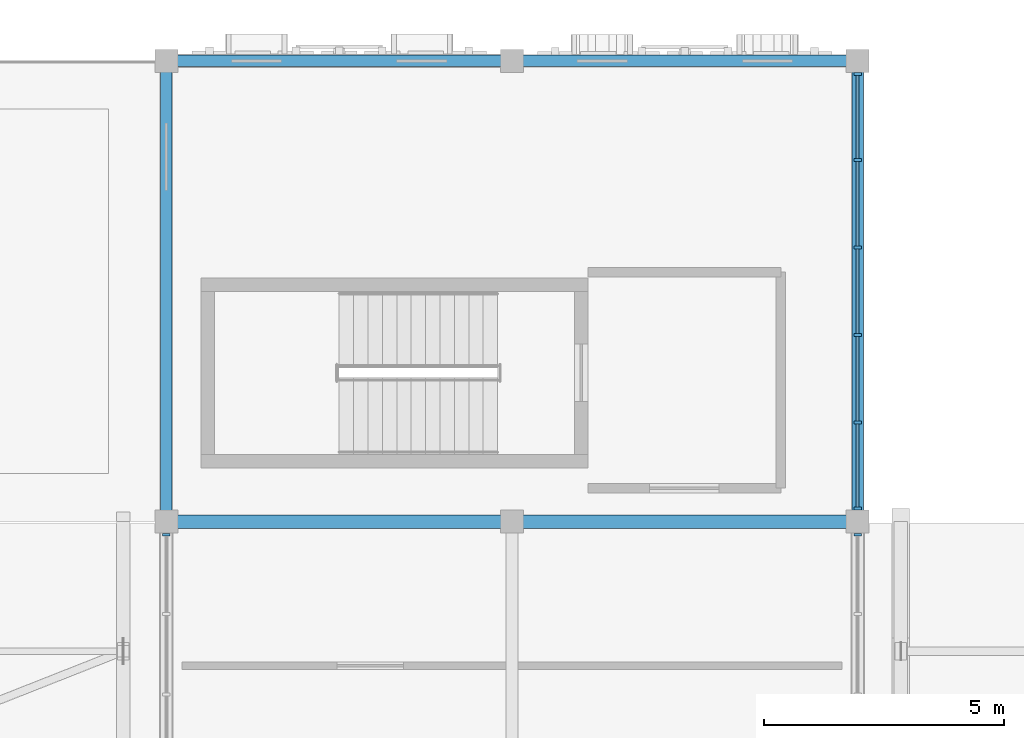
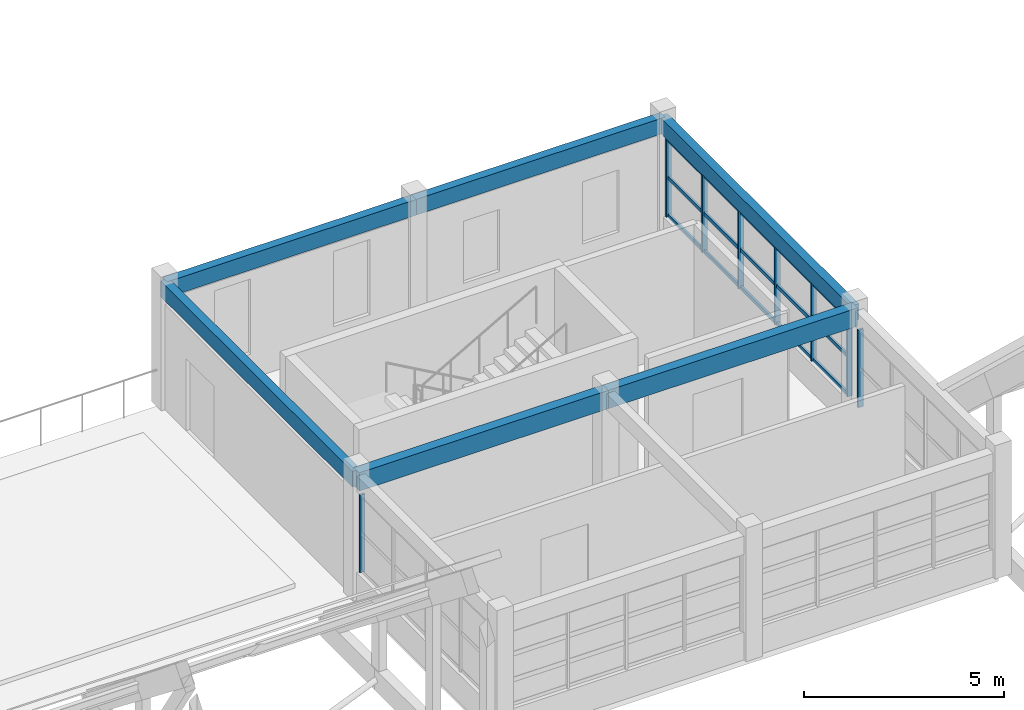
# One storey, part 26 of 79: 23 members, 6 beams, 3 elements without a shape of their own.
"""IFC4 building model written with IfcOpenShell, lengths in metres."""

from ifc_helpers import new_model, si_unit, direction, frame, origin, origin_2d, place, context, subcontext, project, spatial, rectangle, extrude, material, material_profile, profile_set, type_object, element, aggregate, save


model = new_model("IFC4")

# Units and contexts
model_context = context("Model", 3, precision=1e-05, world=origin(), true_north=direction((0.0, 1.0)))
body_context = subcontext(model_context, "Body", "Model", "MODEL_VIEW")
ifc_project = project(units=[si_unit("LENGTHUNIT", "METRE"), si_unit("AREAUNIT", "SQUARE_METRE"), si_unit("VOLUMEUNIT", "CUBIC_METRE"), si_unit("PLANEANGLEUNIT", "RADIAN"), si_unit("MASSUNIT", "GRAM", prefix="KILO")], contexts=[model_context])

# Site, building, storey
site_placement = place(None, origin())
site = spatial("IfcSite", under=ifc_project, at=site_placement, CompositionType="ELEMENT")
building_placement = place(site_placement, origin())
building = spatial("IfcBuilding", under=site, at=building_placement, Name="Nzembalo Square Collegiate School", CompositionType="ELEMENT")
storey_placement = place(building_placement, frame((0.0, 0.0, 9.52001953125)))
storey = spatial("IfcBuildingStorey", under=building, at=storey_placement, Name="L02", CompositionType="ELEMENT", Elevation=9.52001953125)

# Beams
ifc_material_1 = material(Name="Glulam GL28h", Category="wood")
ifc_material_profile_1 = material_profile(ifc_material_1, rectangle(XDim=0.280029296875, YDim=0.56005859375, at=origin_2d()), Name="GL28h 280x560")
ifc_profile_set_1 = profile_set([ifc_material_profile_1], Name="Glulam GL28h")
beam_type_1 = type_object("IfcBeamType", Name="B05", PredefinedType="BEAM", material=ifc_profile_set_1)
for number, where, z_axis, x_axis, name in (
    (1, (76.800048828125, 104.39990234375, 3.5048828125), (1.0, 0.0, 0.0), (0.0, 1.0, 0.0), "Beam B05 L02"),
    (2, (84.0, 104.39990234375, 3.5048828125), (1.0, 0.0, 0.0), (0.0, 1.0, 0.0), "Beam B05 L02"),
):
    element("IfcBeam", number, at=place(storey_placement, frame(where, z_axis=z_axis, x_axis=x_axis)), inside=storey, type_object=beam_type_1, Name=name, PredefinedType="BEAM", context=body_context, shape_type="SweptSolid", body=[
        extrude(rectangle(XDim=0.280029296875, YDim=0.56005859375, at=origin_2d()), origin(), (0.0, 0.0, 1.0), 7.199951171875),
    ])
ifc_material_2 = material(Name="Glulam GL28h", Category="wood")
ifc_material_profile_2 = material_profile(ifc_material_2, rectangle(XDim=0.239990234375, YDim=0.47998046875, at=origin_2d()), Name="GL28h 240x480")
ifc_profile_set_2 = profile_set([ifc_material_profile_2], Name="Glulam GL28h")
beam_type_2 = type_object("IfcBeamType", Name="B06", PredefinedType="BEAM", material=ifc_profile_set_2)
for number, where, z_axis, x_axis, name in (
    (3, (76.800048828125, 104.39990234375, 3.544921875), (0.0, 1.0, 0.0), (-1.0, 0.0, 0.0), "Beam B06 L02"),
    (4, (91.199951171875, 104.39990234375, 3.544921875), (0.0, 1.0, 0.0), (-1.0, 0.0, 0.0), "Beam B06 L02"),
):
    element("IfcBeam", number, at=place(storey_placement, frame(where, z_axis=z_axis, x_axis=x_axis)), inside=storey, type_object=beam_type_2, Name=name, PredefinedType="BEAM", context=body_context, shape_type="SweptSolid", body=[
        extrude(rectangle(XDim=0.239990234375, YDim=0.47998046875, at=origin_2d()), origin(), (0.0, 0.0, 1.0), 9.60009765625),
    ])
ifc_material_3 = material(Name="Glulam GL28h", Category="wood")
ifc_material_profile_3 = material_profile(ifc_material_3, rectangle(XDim=0.239990234375, YDim=0.47998046875, at=origin_2d()), Name="GL28h 240x480")
ifc_profile_set_3 = profile_set([ifc_material_profile_3], Name="Glulam GL28h")
beam_type_3 = type_object("IfcBeamType", Name="SP02", PredefinedType="SPANDREL", material=ifc_profile_set_3)
for number, where, z_axis, x_axis, name in (
    (5, (76.800048828125, 114.0, 3.544921875), (1.0, 0.0, 0.0), (0.0, 1.0, 0.0), "Beam SP02 L02"),
    (6, (84.0, 114.0, 3.544921875), (1.0, 0.0, 0.0), (0.0, 1.0, 0.0), "Beam SP02 L02"),
):
    element("IfcBeam", number, at=place(storey_placement, frame(where, z_axis=z_axis, x_axis=x_axis)), inside=storey, type_object=beam_type_3, Name=name, PredefinedType="SPANDREL", context=body_context, shape_type="SweptSolid", body=[
        extrude(rectangle(XDim=0.239990234375, YDim=0.47998046875, at=origin_2d()), origin(), (0.0, 0.0, 1.0), 7.199951171875),
    ])

# Curtain wall, member
ifc_material_4 = material(Name="Aluminium 6060-T66", Category="aluminium")
curtain_wall_type_1 = type_object("IfcCurtainWallType", Name="CW-07", PredefinedType="USERDEFINED", material=ifc_material_4)
curtain_wall_1_placement = place(storey_placement, origin())
curtain_wall_1 = element("IfcCurtainWall", 7, at=curtain_wall_1_placement, inside=storey, type_object=curtain_wall_type_1, Name="Curtain wall CW-07 cw:L02:110", ObjectType="LANCET", PredefinedType="USERDEFINED")
ifc_material_5 = material(Name="Aluminium 6060-T66", Category="aluminium")
ifc_material_profile_4 = material_profile(ifc_material_5, rectangle(XDim=0.06005859375, YDim=0.14990234375, at=origin_2d()), Name="ALU M60x150")
ifc_profile_set_4 = profile_set([ifc_material_profile_4], Name="Aluminium 6060-T66")
member_type_1 = type_object("IfcMemberType", Name="ML02", PredefinedType="MULLION", material=ifc_profile_set_4)
member_1_placement = place(storey_placement, frame((91.199951171875, 104.1279296875, 0.85009765625), z_axis=(0.0, 0.0, 1.0), x_axis=(0.0, 1.0, 0.0)))
member_1 = element("IfcMember", 8, at=member_1_placement, type_object=member_type_1, Name="ML02 mullion 5", PredefinedType="MULLION", context=body_context, shape_type="SweptSolid", body=[
    extrude(rectangle(XDim=0.06005859375, YDim=0.14990234375, at=origin_2d()), origin(), (0.0, 0.0, 1.0), 2.368896484375),
])
aggregate(curtain_wall_1, [member_1])

# Curtain wall, members
ifc_material_6 = material(Name="Aluminium 6060-T66", Category="aluminium")
curtain_wall_type_2 = type_object("IfcCurtainWallType", Name="CW-12", PredefinedType="USERDEFINED", material=ifc_material_6)
curtain_wall_2_placement = place(storey_placement, origin())
curtain_wall_2 = element("IfcCurtainWall", 9, at=curtain_wall_2_placement, inside=storey, type_object=curtain_wall_type_2, Name="Curtain wall CW-12 cw:L02:111", ObjectType="LANCET", PredefinedType="USERDEFINED")
member_2_placement = place(storey_placement, frame((91.199951171875, 104.672119140625, 0.85009765625), z_axis=(0.0, 0.0, 1.0), x_axis=(0.0, 1.0, 0.0)))
member_2 = element("IfcMember", 10, at=member_2_placement, type_object=member_type_1, Name="ML02 mullion 1", PredefinedType="MULLION", context=body_context, shape_type="SweptSolid", body=[
    extrude(rectangle(XDim=0.06005859375, YDim=0.14990234375, at=origin_2d()), origin(), (0.0, 0.0, 1.0), 2.368896484375),
])
member_3_placement = place(storey_placement, frame((91.199951171875, 106.465087890625, 0.85009765625), z_axis=(0.0, 0.0, 1.0), x_axis=(0.0, 1.0, 0.0)))
member_3 = element("IfcMember", 11, at=member_3_placement, type_object=member_type_1, Name="ML02 mullion 2", PredefinedType="MULLION", context=body_context, shape_type="SweptSolid", body=[
    extrude(rectangle(XDim=0.06005859375, YDim=0.14990234375, at=origin_2d()), origin(), (0.0, 0.0, 1.0), 2.368896484375),
])
member_4_placement = place(storey_placement, frame((91.199951171875, 108.288330078125, 0.85009765625), z_axis=(0.0, 0.0, 1.0), x_axis=(0.0, 1.0, 0.0)))
member_4 = element("IfcMember", 12, at=member_4_placement, type_object=member_type_1, Name="ML02 mullion 3", PredefinedType="MULLION", context=body_context, shape_type="SweptSolid", body=[
    extrude(rectangle(XDim=0.06005859375, YDim=0.14990234375, at=origin_2d()), origin(), (0.0, 0.0, 1.0), 2.368896484375),
])
member_5_placement = place(storey_placement, frame((91.199951171875, 110.111572265625, 0.85009765625), z_axis=(0.0, 0.0, 1.0), x_axis=(0.0, 1.0, 0.0)))
member_5 = element("IfcMember", 13, at=member_5_placement, type_object=member_type_1, Name="ML02 mullion 4", PredefinedType="MULLION", context=body_context, shape_type="SweptSolid", body=[
    extrude(rectangle(XDim=0.06005859375, YDim=0.14990234375, at=origin_2d()), origin(), (0.0, 0.0, 1.0), 2.368896484375),
])
member_6_placement = place(storey_placement, frame((91.199951171875, 111.934814453125, 0.85009765625), z_axis=(0.0, 0.0, 1.0), x_axis=(0.0, 1.0, 0.0)))
member_6 = element("IfcMember", 14, at=member_6_placement, type_object=member_type_1, Name="ML02 mullion 5", PredefinedType="MULLION", context=body_context, shape_type="SweptSolid", body=[
    extrude(rectangle(XDim=0.06005859375, YDim=0.14990234375, at=origin_2d()), origin(), (0.0, 0.0, 1.0), 2.368896484375),
])
member_7_placement = place(storey_placement, frame((91.199951171875, 113.72802734375, 0.85009765625), z_axis=(0.0, 0.0, 1.0), x_axis=(0.0, 1.0, 0.0)))
member_7 = element("IfcMember", 15, at=member_7_placement, type_object=member_type_1, Name="ML02 mullion 6", PredefinedType="MULLION", context=body_context, shape_type="SweptSolid", body=[
    extrude(rectangle(XDim=0.06005859375, YDim=0.14990234375, at=origin_2d()), origin(), (0.0, 0.0, 1.0), 2.368896484375),
])

# Curtain wall, member
ifc_material_7 = material(Name="Aluminium 6060-T66", Category="aluminium")
curtain_wall_type_3 = type_object("IfcCurtainWallType", Name="CW-03", PredefinedType="USERDEFINED", material=ifc_material_7)
curtain_wall_3_placement = place(storey_placement, origin())
curtain_wall_3 = element("IfcCurtainWall", 16, at=curtain_wall_3_placement, inside=storey, type_object=curtain_wall_type_3, Name="Curtain wall CW-03 cw:L02:114", ObjectType="UNITISED", PredefinedType="USERDEFINED")
member_8_placement = place(storey_placement, frame((76.800048828125, 104.1279296875, 0.85009765625), z_axis=(0.0, 0.0, 1.0), x_axis=(0.0, 1.0, 0.0)))
member_8 = element("IfcMember", 17, at=member_8_placement, type_object=member_type_1, Name="ML02 mullion 5", PredefinedType="MULLION", context=body_context, shape_type="SweptSolid", body=[
    extrude(rectangle(XDim=0.06005859375, YDim=0.14990234375, at=origin_2d()), origin(), (0.0, 0.0, 1.0), 2.368896484375),
])
aggregate(curtain_wall_3, [member_8])

# Member
ifc_material_8 = material(Name="Aluminium 6060-T66", Category="aluminium")
ifc_material_profile_5 = material_profile(ifc_material_8, rectangle(XDim=0.06005859375, YDim=0.110107421875, at=origin_2d()), Name="ALU T60x110")
ifc_profile_set_5 = profile_set([ifc_material_profile_5], Name="Aluminium 6060-T66")
member_type_2 = type_object("IfcMemberType", Name="TR02", PredefinedType="USERDEFINED", material=ifc_profile_set_5)
member_9_placement = place(storey_placement, frame((91.199951171875, 104.701904296875, 0.8798828125), z_axis=(0.0, 1.0, 0.0), x_axis=(-1.0, 0.0, 0.0)))
member_9 = element("IfcMember", 18, at=member_9_placement, type_object=member_type_2, Name="TR02 transom 1-1", ObjectType="TRANSOM", PredefinedType="USERDEFINED", context=body_context, shape_type="SweptSolid", body=[
    extrude(rectangle(XDim=0.06005859375, YDim=0.110107421875, at=origin_2d()), origin(), (0.0, 0.0, 1.0), 1.7333984375),
])

member_10_placement = place(storey_placement, frame((91.199951171875, 106.4951171875, 0.8798828125), z_axis=(0.0, 1.0, 0.0), x_axis=(-1.0, 0.0, 0.0)))
member_10 = element("IfcMember", 19, at=member_10_placement, type_object=member_type_2, Name="TR02 transom 1-2", ObjectType="TRANSOM", PredefinedType="USERDEFINED", context=body_context, shape_type="SweptSolid", body=[
    extrude(rectangle(XDim=0.06005859375, YDim=0.110107421875, at=origin_2d()), origin(), (0.0, 0.0, 1.0), 1.76318359375),
])

member_11_placement = place(storey_placement, frame((91.199951171875, 108.318359375, 0.8798828125), z_axis=(0.0, 1.0, 0.0), x_axis=(-1.0, 0.0, 0.0)))
member_11 = element("IfcMember", 20, at=member_11_placement, type_object=member_type_2, Name="TR02 transom 1-3", ObjectType="TRANSOM", PredefinedType="USERDEFINED", context=body_context, shape_type="SweptSolid", body=[
    extrude(rectangle(XDim=0.06005859375, YDim=0.110107421875, at=origin_2d()), origin(), (0.0, 0.0, 1.0), 1.76318359375),
])

member_12_placement = place(storey_placement, frame((91.199951171875, 110.1416015625, 0.8798828125), z_axis=(0.0, 1.0, 0.0), x_axis=(-1.0, 0.0, 0.0)))
member_12 = element("IfcMember", 21, at=member_12_placement, type_object=member_type_2, Name="TR02 transom 1-4", ObjectType="TRANSOM", PredefinedType="USERDEFINED", context=body_context, shape_type="SweptSolid", body=[
    extrude(rectangle(XDim=0.06005859375, YDim=0.110107421875, at=origin_2d()), origin(), (0.0, 0.0, 1.0), 1.76318359375),
])

member_13_placement = place(storey_placement, frame((91.199951171875, 111.96484375, 0.8798828125), z_axis=(0.0, 1.0, 0.0), x_axis=(-1.0, 0.0, 0.0)))
member_13 = element("IfcMember", 22, at=member_13_placement, type_object=member_type_2, Name="TR02 transom 1-5", ObjectType="TRANSOM", PredefinedType="USERDEFINED", context=body_context, shape_type="SweptSolid", body=[
    extrude(rectangle(XDim=0.06005859375, YDim=0.110107421875, at=origin_2d()), origin(), (0.0, 0.0, 1.0), 1.733154296875),
])

member_14_placement = place(storey_placement, frame((91.199951171875, 104.701904296875, 2.034423828125), z_axis=(0.0, 1.0, 0.0), x_axis=(-1.0, 0.0, 0.0)))
member_14 = element("IfcMember", 23, at=member_14_placement, type_object=member_type_2, Name="TR02 transom 2-1", ObjectType="TRANSOM", PredefinedType="USERDEFINED", context=body_context, shape_type="SweptSolid", body=[
    extrude(rectangle(XDim=0.06005859375, YDim=0.110107421875, at=origin_2d()), origin(), (0.0, 0.0, 1.0), 1.7333984375),
])

member_15_placement = place(storey_placement, frame((91.199951171875, 106.4951171875, 2.034423828125), z_axis=(0.0, 1.0, 0.0), x_axis=(-1.0, 0.0, 0.0)))
member_15 = element("IfcMember", 24, at=member_15_placement, type_object=member_type_2, Name="TR02 transom 2-2", ObjectType="TRANSOM", PredefinedType="USERDEFINED", context=body_context, shape_type="SweptSolid", body=[
    extrude(rectangle(XDim=0.06005859375, YDim=0.110107421875, at=origin_2d()), origin(), (0.0, 0.0, 1.0), 1.76318359375),
])

member_16_placement = place(storey_placement, frame((91.199951171875, 108.318359375, 2.034423828125), z_axis=(0.0, 1.0, 0.0), x_axis=(-1.0, 0.0, 0.0)))
member_16 = element("IfcMember", 25, at=member_16_placement, type_object=member_type_2, Name="TR02 transom 2-3", ObjectType="TRANSOM", PredefinedType="USERDEFINED", context=body_context, shape_type="SweptSolid", body=[
    extrude(rectangle(XDim=0.06005859375, YDim=0.110107421875, at=origin_2d()), origin(), (0.0, 0.0, 1.0), 1.76318359375),
])

member_17_placement = place(storey_placement, frame((91.199951171875, 110.1416015625, 2.034423828125), z_axis=(0.0, 1.0, 0.0), x_axis=(-1.0, 0.0, 0.0)))
member_17 = element("IfcMember", 26, at=member_17_placement, type_object=member_type_2, Name="TR02 transom 2-4", ObjectType="TRANSOM", PredefinedType="USERDEFINED", context=body_context, shape_type="SweptSolid", body=[
    extrude(rectangle(XDim=0.06005859375, YDim=0.110107421875, at=origin_2d()), origin(), (0.0, 0.0, 1.0), 1.76318359375),
])

member_18_placement = place(storey_placement, frame((91.199951171875, 111.96484375, 2.034423828125), z_axis=(0.0, 1.0, 0.0), x_axis=(-1.0, 0.0, 0.0)))
member_18 = element("IfcMember", 27, at=member_18_placement, type_object=member_type_2, Name="TR02 transom 2-5", ObjectType="TRANSOM", PredefinedType="USERDEFINED", context=body_context, shape_type="SweptSolid", body=[
    extrude(rectangle(XDim=0.06005859375, YDim=0.110107421875, at=origin_2d()), origin(), (0.0, 0.0, 1.0), 1.733154296875),
])

member_19_placement = place(storey_placement, frame((91.199951171875, 104.701904296875, 3.18896484375), z_axis=(0.0, 1.0, 0.0), x_axis=(-1.0, 0.0, 0.0)))
member_19 = element("IfcMember", 28, at=member_19_placement, type_object=member_type_2, Name="TR02 transom 3-1", ObjectType="TRANSOM", PredefinedType="USERDEFINED", context=body_context, shape_type="SweptSolid", body=[
    extrude(rectangle(XDim=0.06005859375, YDim=0.110107421875, at=origin_2d()), origin(), (0.0, 0.0, 1.0), 1.7333984375),
])

member_20_placement = place(storey_placement, frame((91.199951171875, 106.4951171875, 3.18896484375), z_axis=(0.0, 1.0, 0.0), x_axis=(-1.0, 0.0, 0.0)))
member_20 = element("IfcMember", 29, at=member_20_placement, type_object=member_type_2, Name="TR02 transom 3-2", ObjectType="TRANSOM", PredefinedType="USERDEFINED", context=body_context, shape_type="SweptSolid", body=[
    extrude(rectangle(XDim=0.06005859375, YDim=0.110107421875, at=origin_2d()), origin(), (0.0, 0.0, 1.0), 1.76318359375),
])

member_21_placement = place(storey_placement, frame((91.199951171875, 108.318359375, 3.18896484375), z_axis=(0.0, 1.0, 0.0), x_axis=(-1.0, 0.0, 0.0)))
member_21 = element("IfcMember", 30, at=member_21_placement, type_object=member_type_2, Name="TR02 transom 3-3", ObjectType="TRANSOM", PredefinedType="USERDEFINED", context=body_context, shape_type="SweptSolid", body=[
    extrude(rectangle(XDim=0.06005859375, YDim=0.110107421875, at=origin_2d()), origin(), (0.0, 0.0, 1.0), 1.76318359375),
])

member_22_placement = place(storey_placement, frame((91.199951171875, 110.1416015625, 3.18896484375), z_axis=(0.0, 1.0, 0.0), x_axis=(-1.0, 0.0, 0.0)))
member_22 = element("IfcMember", 31, at=member_22_placement, type_object=member_type_2, Name="TR02 transom 3-4", ObjectType="TRANSOM", PredefinedType="USERDEFINED", context=body_context, shape_type="SweptSolid", body=[
    extrude(rectangle(XDim=0.06005859375, YDim=0.110107421875, at=origin_2d()), origin(), (0.0, 0.0, 1.0), 1.76318359375),
])

member_23_placement = place(storey_placement, frame((91.199951171875, 111.96484375, 3.18896484375), z_axis=(0.0, 1.0, 0.0), x_axis=(-1.0, 0.0, 0.0)))
member_23 = element("IfcMember", 32, at=member_23_placement, type_object=member_type_2, Name="TR02 transom 3-5", ObjectType="TRANSOM", PredefinedType="USERDEFINED", context=body_context, shape_type="SweptSolid", body=[
    extrude(rectangle(XDim=0.06005859375, YDim=0.110107421875, at=origin_2d()), origin(), (0.0, 0.0, 1.0), 1.733154296875),
])

aggregate(curtain_wall_2, [member_2, member_3, member_4, member_5, member_6, member_7, member_9, member_10, member_11, member_12, member_13, member_14, member_15, member_16, member_17, member_18, member_19, member_20, member_21, member_22, member_23])

save(model, "model.ifc")
